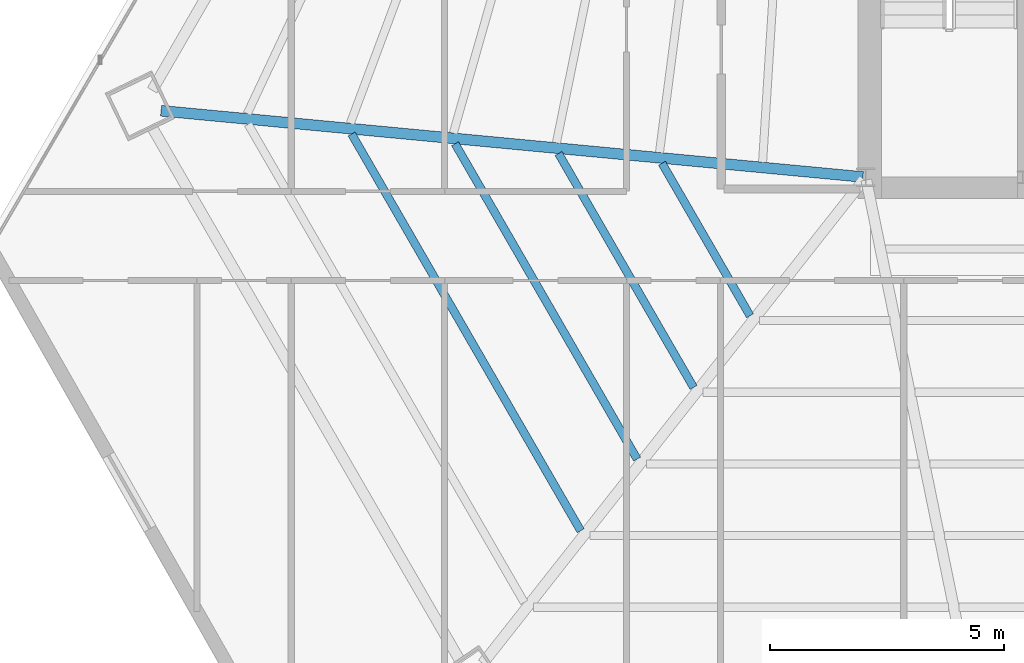
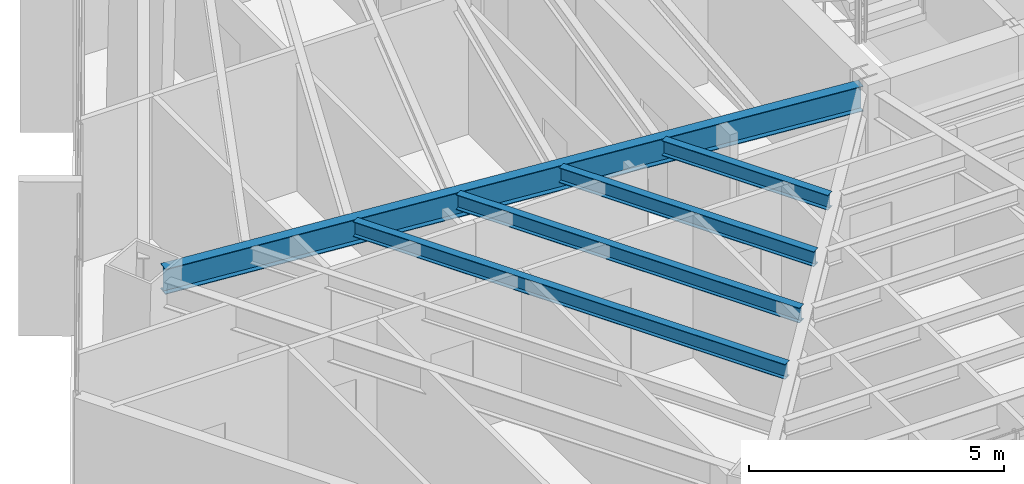
# One storey, part 8 of 37: 5 beams.
"""IFC4 building model written with IfcOpenShell, lengths in metres."""

from ifc_helpers import new_model, si_unit, direction, frame, origin, origin_2d, place, context, subcontext, project, spatial, i_section, extrude, source, transform, mapped, material, material_profile, profile_set, type_object, type_shapes, element, save


model = new_model("IFC4")

# Units and contexts
model_context = context("Model", 3, precision=1e-05, world=origin(), true_north=direction((0.0, 1.0)))
body_context = subcontext(model_context, "Body", "Model", "MODEL_VIEW")
ifc_project = project(units=[si_unit("LENGTHUNIT", "METRE"), si_unit("AREAUNIT", "SQUARE_METRE"), si_unit("VOLUMEUNIT", "CUBIC_METRE"), si_unit("PLANEANGLEUNIT", "RADIAN"), si_unit("MASSUNIT", "GRAM", prefix="KILO")], contexts=[model_context])

# Site, building, storey
site_placement = place(None, origin())
site = spatial("IfcSite", under=ifc_project, at=site_placement, CompositionType="ELEMENT")
building_placement = place(site_placement, origin())
building = spatial("IfcBuilding", under=site, at=building_placement, Name="Caelisora Broadcast Tower", CompositionType="ELEMENT")
storey_placement = place(building_placement, frame((0.0, 0.0, 120.0)))
storey = spatial("IfcBuildingStorey", under=building, at=storey_placement, Name="L31", CompositionType="ELEMENT", Elevation=120.0)

# Beams
ifc_material = material(Name="Steel Grade 350 (AS/NZS 3679.1)", Category="steel")
ifc_material_profile_1 = material_profile(ifc_material, i_section(OverallWidth=0.22802734375, OverallDepth=0.602294921875, WebThickness=0.010498046875, FlangeThickness=0.014892578125, at=origin_2d()), Name="Steel Grade 350 (AS/NZS 3679.1)")
ifc_profile_set_1 = profile_set([ifc_material_profile_1], Name="Steel Grade 350 (AS/NZS 3679.1)")
beam_type_1 = type_object("IfcBeamType", Name="PG04", PredefinedType="BEAM", material=ifc_profile_set_1)
shared_shape_1 = source(origin(), body_context, "Body", "SweptSolid", [
    extrude(i_section(OverallWidth=0.22802734375, OverallDepth=0.602294921875, WebThickness=0.010498046875, FlangeThickness=0.014892578125, at=origin_2d()), origin(), (0.0, 0.0, 1.0), 15.031494140625),
])
type_shapes(beam_type_1, [shared_shape_1])
beam_1_placement = place(storey_placement, frame((30.440185546875, 17.405517578125, 3.098876953125), z_axis=(-0.995580620207, 0.093910748422, 0.0), x_axis=(-0.093910748422, -0.995580620207, 0.0)))
element("IfcBeam", 1, at=beam_1_placement, inside=storey, type_object=beam_type_1, Name="L31 beam PG04", PredefinedType="BEAM", context=body_context, shape_type="MappedRepresentation", body=[
    mapped(shared_shape_1, transform((0.0, 0.0, 0.0), scale=1.0)),
])
ifc_material_profile_2 = material_profile(ifc_material, i_section(OverallWidth=0.172119140625, OverallDepth=0.358642578125, WebThickness=0.008056640625, FlangeThickness=0.012939453125, at=origin_2d()), Name="Steel Grade 350 (AS/NZS 3679.1)")
ifc_profile_set_2 = profile_set([ifc_material_profile_2], Name="Steel Grade 350 (AS/NZS 3679.1)")
beam_type_2 = type_object("IfcBeamType", Name="SB02", PredefinedType="JOIST", material=ifc_profile_set_2)
shared_shape_2 = source(origin(), body_context, "Body", "SweptSolid", [
    extrude(i_section(OverallWidth=0.172119140625, OverallDepth=0.358642578125, WebThickness=0.008056640625, FlangeThickness=0.012939453125, at=origin_2d()), origin(), (0.0, 0.0, 1.0), 3.75341796875),
])
beam_2_placement = place(storey_placement, frame((26.156005859375, 17.69775390625, 3.220703125), z_axis=(0.500007733091, -0.866020939036, 0.0), x_axis=(0.866020939036, 0.500007733091, 0.0)))
element("IfcBeam", 2, at=beam_2_placement, inside=storey, type_object=beam_type_2, Name="L31 beam SB02", PredefinedType="JOIST", context=body_context, shape_type="MappedRepresentation", body=[
    mapped(shared_shape_2, transform((0.0, 0.0, 0.0), scale=1.0)),
])
shared_shape_3 = source(origin(), body_context, "Body", "SweptSolid", [
    extrude(i_section(OverallWidth=0.172119140625, OverallDepth=0.358642578125, WebThickness=0.008056640625, FlangeThickness=0.012939453125, at=origin_2d()), origin(), (0.0, 0.0, 1.0), 5.758056640625),
])
beam_3_placement = place(storey_placement, frame((23.949951171875, 17.90576171875, 3.220703125), z_axis=(0.500019739641, -0.866014006798, 0.0), x_axis=(0.866014006798, 0.500019739641, 0.0)))
element("IfcBeam", 3, at=beam_3_placement, inside=storey, type_object=beam_type_2, Name="L31 beam SB02", PredefinedType="JOIST", context=body_context, shape_type="MappedRepresentation", body=[
    mapped(shared_shape_3, transform((0.0, 0.0, 0.0), scale=1.0)),
])
shared_shape_4 = source(origin(), body_context, "Body", "SweptSolid", [
    extrude(i_section(OverallWidth=0.172119140625, OverallDepth=0.358642578125, WebThickness=0.008056640625, FlangeThickness=0.012939453125, at=origin_2d()), origin(), (0.0, 0.0, 1.0), 7.762939453125),
])
beam_4_placement = place(storey_placement, frame((21.743896484375, 18.11376953125, 3.220703125), z_axis=(0.499988339263, -0.86603213601, 0.0), x_axis=(0.86603213601, 0.499988339263, 0.0)))
element("IfcBeam", 4, at=beam_4_placement, inside=storey, type_object=beam_type_2, Name="L31 beam SB02", PredefinedType="JOIST", context=body_context, shape_type="MappedRepresentation", body=[
    mapped(shared_shape_4, transform((0.0, 0.0, 0.0), scale=1.0)),
])
shared_shape_5 = source(origin(), body_context, "Body", "SweptSolid", [
    extrude(i_section(OverallWidth=0.172119140625, OverallDepth=0.358642578125, WebThickness=0.008056640625, FlangeThickness=0.012939453125, at=origin_2d()), origin(), (0.0, 0.0, 1.0), 9.767822265625),
])
type_shapes(beam_type_2, [shared_shape_2, shared_shape_3, shared_shape_4, shared_shape_5])
beam_5_placement = place(storey_placement, frame((19.53759765625, 18.322021484375, 3.220703125), z_axis=(0.499988574806, -0.866032000023, 0.0), x_axis=(0.866032000023, 0.499988574806, 0.0)))
element("IfcBeam", 5, at=beam_5_placement, inside=storey, type_object=beam_type_2, Name="L31 beam SB02", PredefinedType="JOIST", context=body_context, shape_type="MappedRepresentation", body=[
    mapped(shared_shape_5, transform((0.0, 0.0, 0.0), scale=1.0)),
])

save(model, "model.ifc")
